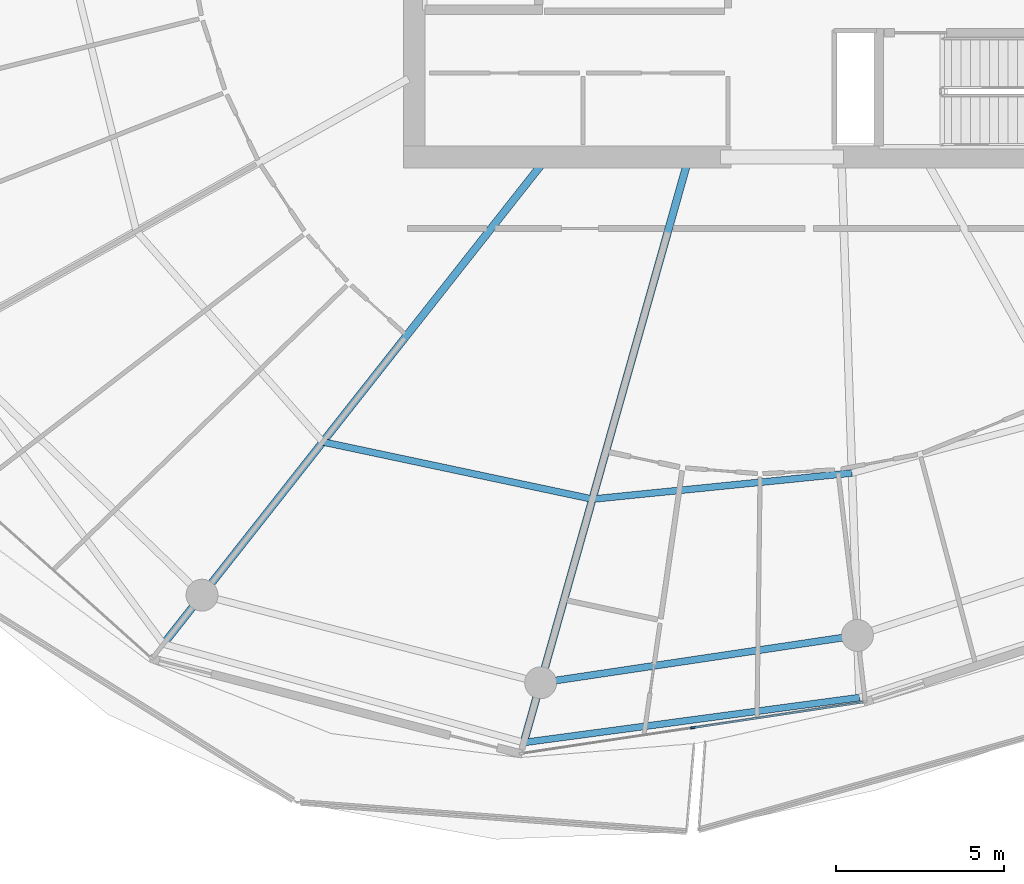
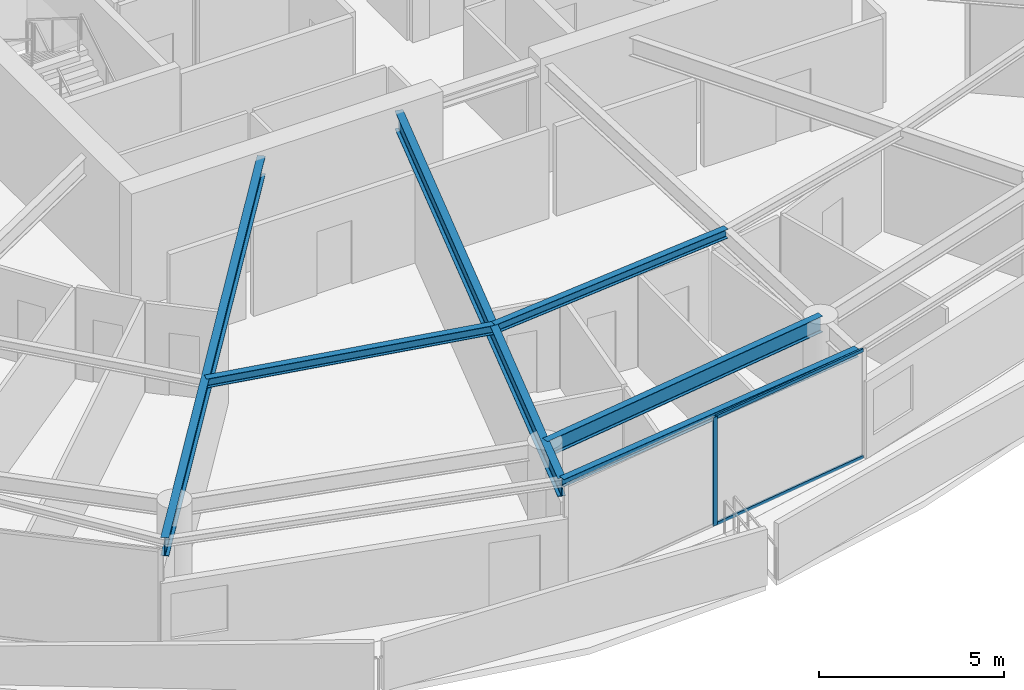
# One storey, part 7 of 30: 6 beams, 3 members, 1 element without a shape of its own.
"""IFC4 building model written with IfcOpenShell, lengths in metres."""

from ifc_helpers import new_model, si_unit, direction, frame, origin, origin_2d, place, context, subcontext, project, spatial, rectangle, i_section, extrude, material, layer, layer_set, material_profile, profile_set, type_object, element, aggregate, save


model = new_model("IFC4")

# Units and contexts
model_context = context("Model", 3, precision=1e-05, world=origin(), true_north=direction((0.0, 1.0)))
body_context = subcontext(model_context, "Body", "Model", "MODEL_VIEW")
ifc_project = project(units=[si_unit("LENGTHUNIT", "METRE"), si_unit("AREAUNIT", "SQUARE_METRE"), si_unit("VOLUMEUNIT", "CUBIC_METRE"), si_unit("PLANEANGLEUNIT", "RADIAN"), si_unit("MASSUNIT", "GRAM", prefix="KILO")], contexts=[model_context])

# Site, building, storey
site_placement = place(None, origin())
site = spatial("IfcSite", under=ifc_project, at=site_placement, CompositionType="ELEMENT")
building_placement = place(site_placement, origin())
building = spatial("IfcBuilding", under=site, at=building_placement, Name="Kazma Halo Residences", CompositionType="ELEMENT")
storey_placement = place(building_placement, frame((0.0, 0.0, 267.5)))
storey = spatial("IfcBuildingStorey", under=building, at=storey_placement, Name="L67", CompositionType="ELEMENT", Elevation=267.5)

# Beams
ifc_material_1 = material(Name="Steel S355", Category="steel")
ifc_material_profile_1 = material_profile(ifc_material_1, i_section(OverallWidth=0.201904296875, OverallDepth=0.2470703125, WebThickness=0.00732421875, FlangeThickness=0.010986328125, FilletRadius=0.011962890625, at=origin_2d()), Name="W250x49.1")
ifc_profile_set_1 = profile_set([ifc_material_profile_1], Name="Steel S355")
beam_type_1 = type_object("IfcBeamType", Name="BM-BAL-CANT", PredefinedType="BEAM", material=ifc_profile_set_1)
beam_1_placement = place(storey_placement, frame((40.73486328125, 16.239990234375, 3.466552734375), z_axis=(0.991137416918, 0.132840584106, 0.0), x_axis=(-0.132840584106, 0.991137416918, 0.0)))
element("IfcBeam", 1, at=beam_1_placement, inside=storey, type_object=beam_type_1, Name="L67 wave-balcony tie beam 11", PredefinedType="BEAM", context=body_context, shape_type="SweptSolid", body=[
    extrude(i_section(OverallWidth=0.201904296875, OverallDepth=0.2470703125, WebThickness=0.00732421875, FlangeThickness=0.010986328125, FilletRadius=0.011962890625, at=origin_2d()), origin(), (0.0, 0.0, 1.0), 10.087890625),
])
ifc_material_profile_2 = material_profile(ifc_material_1, i_section(OverallWidth=0.22802734375, OverallDepth=0.60791015625, WebThickness=0.01123046875, FlangeThickness=0.017333984375, FilletRadius=0.01806640625, at=origin_2d()), Name="W610x113")
ifc_profile_set_2 = profile_set([ifc_material_profile_2], Name="Steel S355")
beam_type_2 = type_object("IfcBeamType", Name="BM-RAD-W610", PredefinedType="BEAM", material=ifc_profile_set_2)
beam_2_placement = place(storey_placement, frame((41.299072265625, 33.5, 3.285888671875), z_axis=(-0.6190864347, -0.785322854863, 0.0), x_axis=(0.785322854863, -0.6190864347, 0.0)))
element("IfcBeam", 2, at=beam_2_placement, inside=storey, type_object=beam_type_2, Name="L67 radial floor beam 10", PredefinedType="BEAM", context=body_context, shape_type="SweptSolid", body=[
    extrude(i_section(OverallWidth=0.22802734375, OverallDepth=0.60791015625, WebThickness=0.01123046875, FlangeThickness=0.017333984375, FilletRadius=0.01806640625, at=origin_2d()), origin(), (0.0, 0.0, 1.0), 18.239013671875),
])
beam_3_placement = place(storey_placement, frame((45.602783203125, 33.5, 3.285888671875), z_axis=(-0.271445290974, -0.962453871107, 0.0), x_axis=(0.962453871107, -0.271445290974, 0.0)))
element("IfcBeam", 3, at=beam_3_placement, inside=storey, type_object=beam_type_2, Name="L67 radial floor beam 11", PredefinedType="BEAM", context=body_context, shape_type="SweptSolid", body=[
    extrude(i_section(OverallWidth=0.22802734375, OverallDepth=0.60791015625, WebThickness=0.01123046875, FlangeThickness=0.017333984375, FilletRadius=0.01806640625, at=origin_2d()), origin(), (0.0, 0.0, 1.0), 17.933349609375),
])
ifc_material_profile_3 = material_profile(ifc_material_1, i_section(OverallWidth=0.202880859375, OverallDepth=0.302978515625, WebThickness=0.007568359375, FlangeThickness=0.01318359375, FilletRadius=0.013916015625, at=origin_2d()), Name="W310x60")
ifc_profile_set_3 = profile_set([ifc_material_profile_3], Name="Steel S355")
beam_type_3 = type_object("IfcBeamType", Name="BM-SEC-W310A", PredefinedType="JOIST", material=ifc_profile_set_3)
beam_4_placement = place(storey_placement, frame((34.75, 25.1923828125, 3.4384765625), z_axis=(0.978235588777, -0.207497308055, 0.0), x_axis=(0.207497308055, 0.978235588777, 0.0)))
element("IfcBeam", 4, at=beam_4_placement, inside=storey, type_object=beam_type_3, Name="L67 circumferential floor joist 10", PredefinedType="JOIST", context=body_context, shape_type="SweptSolid", body=[
    extrude(i_section(OverallWidth=0.202880859375, OverallDepth=0.302978515625, WebThickness=0.007568359375, FlangeThickness=0.01318359375, FilletRadius=0.013916015625, at=origin_2d()), origin(), (0.0, 0.0, 1.0), 8.2080078125),
])
beam_5_placement = place(storey_placement, frame((42.779296875, 23.4892578125, 3.4384765625), z_axis=(0.994981653225, 0.10005753218, 0.0), x_axis=(-0.10005753218, 0.994981653225, 0.0)))
element("IfcBeam", 5, at=beam_5_placement, inside=storey, type_object=beam_type_3, Name="L67 circumferential floor joist 11", PredefinedType="JOIST", context=body_context, shape_type="SweptSolid", body=[
    extrude(i_section(OverallWidth=0.202880859375, OverallDepth=0.302978515625, WebThickness=0.007568359375, FlangeThickness=0.01318359375, FilletRadius=0.013916015625, at=origin_2d()), origin(), (0.0, 0.0, 1.0), 7.76904296875),
])
ifc_material_profile_4 = material_profile(ifc_material_1, i_section(OverallWidth=0.208984375, OverallDepth=0.532958984375, WebThickness=0.01025390625, FlangeThickness=0.015625, FilletRadius=0.01611328125, at=origin_2d()), Name="W530x92")
ifc_profile_set_4 = profile_set([ifc_material_profile_4], Name="Steel S355")
beam_type_4 = type_object("IfcBeamType", Name="BM-SPN-W530", PredefinedType="BEAM", material=ifc_profile_set_4)
beam_6_placement = place(storey_placement, frame((41.237060546875, 18.0205078125, 3.323486328125), z_axis=(0.989035441627, 0.147678350495, 0.0), x_axis=(-0.147678350495, 0.989035441627, 0.0)))
element("IfcBeam", 6, at=beam_6_placement, inside=storey, type_object=beam_type_4, Name="L67 perimeter ring beam 11", PredefinedType="BEAM", context=body_context, shape_type="SweptSolid", body=[
    extrude(i_section(OverallWidth=0.208984375, OverallDepth=0.532958984375, WebThickness=0.01025390625, FlangeThickness=0.015625, FilletRadius=0.01611328125, at=origin_2d()), origin(), (0.0, 0.0, 1.0), 9.538818359375),
])

# Curtain wall, members
ifc_material_2 = material(Name="Aluminium AW-6063 T6 and Triple-Silver Low-E Glass", Category="aluminium")
ifc_layer = layer(ifc_material_2, 0.139892578125)
ifc_layer_set = layer_set([ifc_layer], Name="Aluminium AW-6063 T6 and Triple-Silver Low-E Glass")
curtain_wall_type = type_object("IfcCurtainWallType", Name="CW-SYS-5", PredefinedType="NOTDEFINED", material=ifc_layer_set)
curtain_wall_placement = place(storey_placement, origin())
curtain_wall = element("IfcCurtainWall", 7, at=curtain_wall_placement, inside=storey, type_object=curtain_wall_type, Name="L67 unitised curtain wall B11", PredefinedType="NOTDEFINED")
ifc_material_3 = material(Name="Aluminium AW-6063 T6", Category="aluminium")
ifc_material_profile_5 = material_profile(ifc_material_3, rectangle(XDim=0.06005859375, YDim=0.139892578125, at=origin_2d()), Name="CWM-60x140")
ifc_profile_set_5 = profile_set([ifc_material_profile_5], Name="Aluminium AW-6063 T6")
member_type_1 = type_object("IfcMemberType", Name="CW-SYS-5-MUL", PredefinedType="MULLION", material=ifc_profile_set_5)
member_1_placement = place(storey_placement, frame((45.7734375, 16.679931640625, 0.0), z_axis=(0.0, 0.0, 1.0), x_axis=(-0.148697080374, 0.988882792998, 0.0)))
member_1 = element("IfcMember", 8, at=member_1_placement, type_object=member_type_1, Name="CWS-5 mullion 2", PredefinedType="MULLION", context=body_context, shape_type="SweptSolid", body=[
    extrude(rectangle(XDim=0.06005859375, YDim=0.139892578125, at=origin_2d()), origin(), (0.0, 0.0, 1.0), 3.590087890625),
])
ifc_material_profile_6 = material_profile(ifc_material_3, rectangle(XDim=0.06005859375, YDim=0.10498046875, at=origin_2d()), Name="CWT-60x105")
ifc_profile_set_6 = profile_set([ifc_material_profile_6], Name="Aluminium AW-6063 T6")
member_type_2 = type_object("IfcMemberType", Name="CW-SYS-5-TRN", PredefinedType="USERDEFINED", material=ifc_profile_set_6)
member_2_placement = place(storey_placement, frame((45.80322265625, 16.6845703125, 0.030029296875), z_axis=(0.988882913569, 0.148696278541, 0.0), x_axis=(-0.148696278541, 0.988882913569, 0.0)))
member_2 = element("IfcMember", 9, at=member_2_placement, type_object=member_type_2, Name="CWS-5 transom 2.1", ObjectType="TRANSOM", PredefinedType="USERDEFINED", context=body_context, shape_type="SweptSolid", body=[
    extrude(rectangle(XDim=0.06005859375, YDim=0.10498046875, at=origin_2d()), origin(), (0.0, 0.0, 1.0), 5.099609375),
])
member_3_placement = place(storey_placement, frame((45.80322265625, 16.6845703125, 3.56005859375), z_axis=(0.988882913569, 0.148696278541, 0.0), x_axis=(-0.148696278541, 0.988882913569, 0.0)))
member_3 = element("IfcMember", 10, at=member_3_placement, type_object=member_type_2, Name="CWS-5 transom 2.2", ObjectType="TRANSOM", PredefinedType="USERDEFINED", context=body_context, shape_type="SweptSolid", body=[
    extrude(rectangle(XDim=0.06005859375, YDim=0.10498046875, at=origin_2d()), origin(), (0.0, 0.0, 1.0), 5.099609375),
])
aggregate(curtain_wall, [member_1, member_2, member_3])

save(model, "model.ifc")
